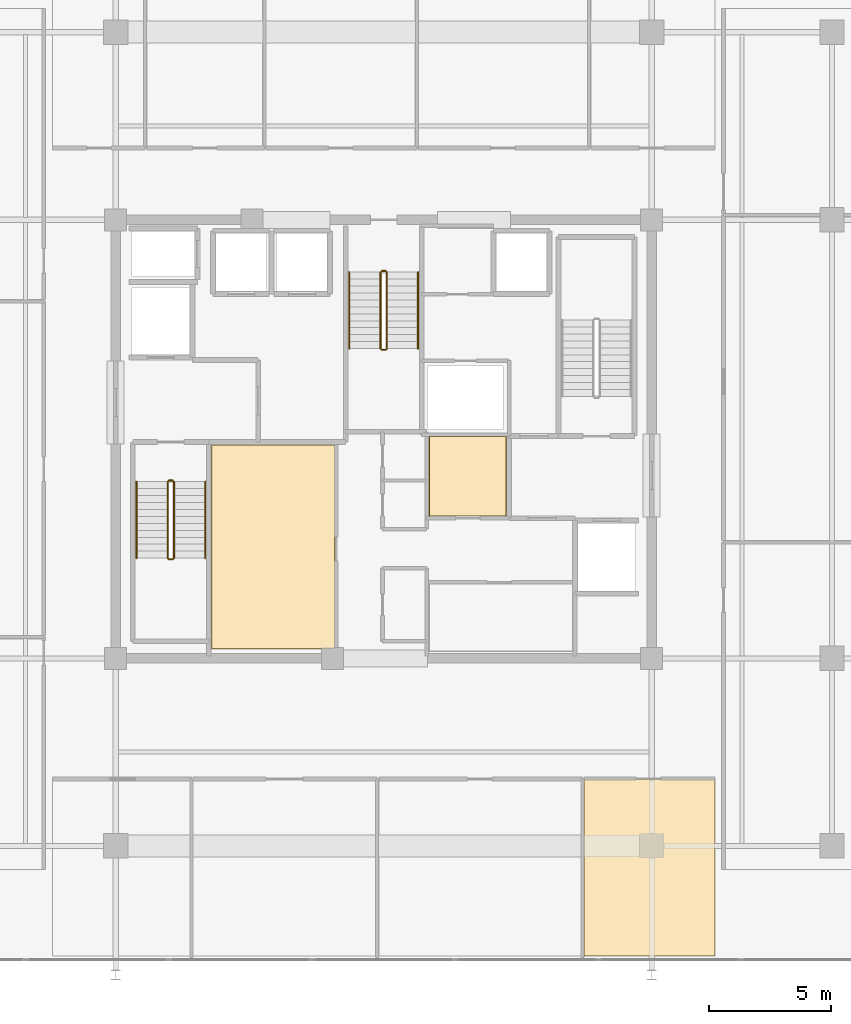
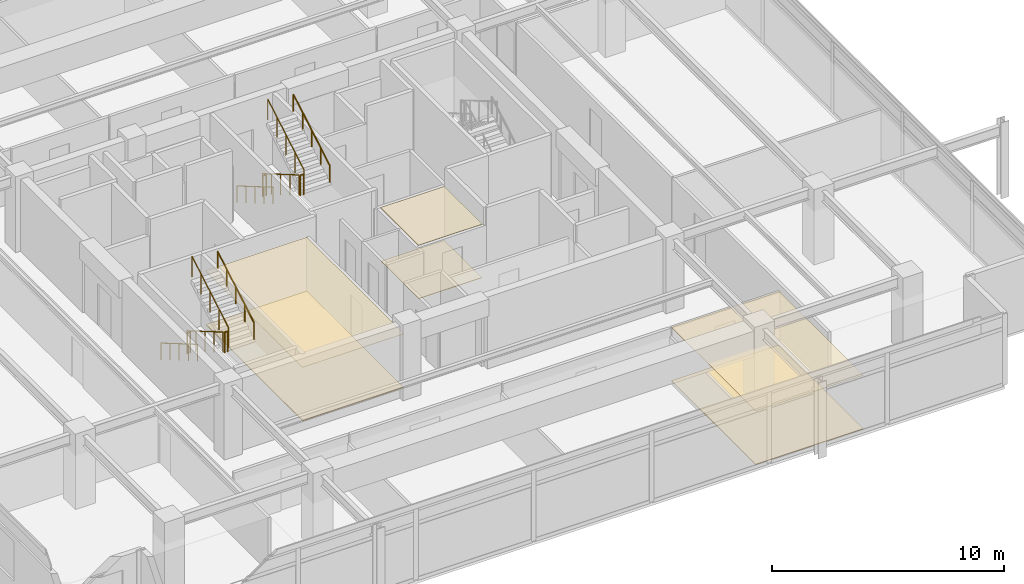
# One storey, part 18 of 20: 12 railings, 6 coverings.
"""IFC4 building model written with IfcOpenShell, lengths in metres."""

from ifc_helpers import new_model, si_unit, direction, frame, origin, origin_2d, place, context, subcontext, project, spatial, polyline, circle, outline, extrude, material, layer, layer_set, type_object, element, save


model = new_model("IFC4")

# Units and contexts
model_context = context("Model", 3, precision=1e-05, world=origin(), true_north=direction((0.0, 1.0)))
body_context = subcontext(model_context, "Body", "Model", "MODEL_VIEW")
ifc_project = project(units=[si_unit("LENGTHUNIT", "METRE"), si_unit("AREAUNIT", "SQUARE_METRE"), si_unit("VOLUMEUNIT", "CUBIC_METRE"), si_unit("PLANEANGLEUNIT", "RADIAN"), si_unit("MASSUNIT", "GRAM", prefix="KILO")], contexts=[model_context])

# Site, building, storey
site_placement = place(None, origin())
site = spatial("IfcSite", under=ifc_project, at=site_placement, CompositionType="ELEMENT")
building_placement = place(site_placement, origin())
building = spatial("IfcBuilding", under=site, at=building_placement, Name="Kovane Verandah Tower", CompositionType="ELEMENT")
storey_placement = place(building_placement, frame((0.0, 0.0, 334.800048828125)))
storey = spatial("IfcBuildingStorey", under=building, at=storey_placement, Name="L78", CompositionType="ELEMENT", Elevation=334.800048828125)

# Coverings
ifc_material_1 = material(Name="Perforated Acoustic Mineral-Fibre Ceiling Tile", Category="gypsum")
ifc_layer_1 = layer(ifc_material_1, 0.02490234375)
ifc_layer_set_1 = layer_set([ifc_layer_1], Name="Perforated Acoustic Mineral-Fibre Ceiling Tile")
covering_type_1 = type_object("IfcCoveringType", Name="CV-CEIL-25", PredefinedType="CEILING", material=ifc_layer_set_1)
covering_1_placement = place(storey_placement, frame((0.0, 0.0, 2.824951171875)))
element("IfcCovering", 1, at=covering_1_placement, inside=storey, type_object=covering_type_1, Name="L78 Tenant Wellness and Archive Suite Acoustic Ceiling", PredefinedType="CEILING", context=body_context, shape_type="SweptSolid", body=[
    extrude(outline(polyline([(32.93505859375, 18.885009765625), (37.9951171875, 18.885009765625), (37.9951171875, 27.264892578125), (32.93505859375, 27.264892578125), (32.93505859375, 18.885009765625)])), origin(), (0.0, 0.0, 1.0), 0.02490234375),
])
covering_2_placement = place(storey_placement, frame((0.0, 0.0, 2.824951171875)))
element("IfcCovering", 2, at=covering_2_placement, inside=storey, type_object=covering_type_1, Name="L78 Document Archive Room Acoustic Ceiling", PredefinedType="CEILING", context=body_context, shape_type="SweptSolid", body=[
    extrude(outline(polyline([(41.864990234375, 24.3349609375), (45.034912109375, 24.3349609375), (45.034912109375, 27.614990234375), (41.864990234375, 27.614990234375), (41.864990234375, 24.3349609375)])), origin(), (0.0, 0.0, 1.0), 0.02490234375),
])
covering_3_placement = place(storey_placement, frame((0.0, 0.0, 2.824951171875)))
element("IfcCovering", 3, at=covering_3_placement, inside=storey, type_object=covering_type_1, Name="L78 Focus Studio S4 Acoustic Ceiling", PredefinedType="CEILING", context=body_context, shape_type="SweptSolid", body=[
    extrude(outline(polyline([(48.22998046875, 6.27783203125), (53.60009765625, 6.27783203125), (53.60009765625, 13.550048828125), (48.22998046875, 13.550048828125), (48.22998046875, 6.27783203125)])), origin(), (0.0, 0.0, 1.0), 0.02490234375),
])
ifc_material_2 = material(Name="Polished Terrazzo and Raised-Access Carpet Tile Finish", Category="concrete")
ifc_layer_2 = layer(ifc_material_2, 0.030029296875)
ifc_layer_set_2 = layer_set([ifc_layer_2], Name="Polished Terrazzo and Raised-Access Carpet Tile Finish")
covering_type_2 = type_object("IfcCoveringType", Name="CV-FLOR-30", PredefinedType="FLOORING", material=ifc_layer_set_2)
covering_4_placement = place(storey_placement, origin())
element("IfcCovering", 4, at=covering_4_placement, inside=storey, type_object=covering_type_2, Name="L78 Tenant Wellness and Archive Suite Floor Finish", PredefinedType="FLOORING", context=body_context, shape_type="SweptSolid", body=[
    extrude(outline(polyline([(32.949951171875, 18.89990234375), (37.97998046875, 18.89990234375), (37.97998046875, 27.25), (32.949951171875, 27.25), (32.949951171875, 18.89990234375)])), origin(), (0.0, 0.0, 1.0), 0.030029296875),
])
covering_5_placement = place(storey_placement, origin())
element("IfcCovering", 5, at=covering_5_placement, inside=storey, type_object=covering_type_2, Name="L78 Document Archive Room Floor Finish", PredefinedType="FLOORING", context=body_context, shape_type="SweptSolid", body=[
    extrude(outline(polyline([(41.8798828125, 24.35009765625), (45.02001953125, 24.35009765625), (45.02001953125, 27.60009765625), (41.8798828125, 27.60009765625), (41.8798828125, 24.35009765625)])), origin(), (0.0, 0.0, 1.0), 0.030029296875),
])
covering_6_placement = place(storey_placement, origin())
element("IfcCovering", 6, at=covering_6_placement, inside=storey, type_object=covering_type_2, Name="L78 Focus Studio S4 Floor Finish", PredefinedType="FLOORING", context=body_context, shape_type="SweptSolid", body=[
    extrude(outline(polyline([(48.22998046875, 6.27783203125), (53.60009765625, 6.27783203125), (53.60009765625, 13.550048828125), (48.22998046875, 13.550048828125), (48.22998046875, 6.27783203125)])), origin(), (0.0, 0.0, 1.0), 0.030029296875),
])

# Railings
ifc_material_3 = material(Name="Brushed Stainless Steel Handrail", Category="steel")
railing_type_1 = type_object("IfcRailingType", Name="RL-HAND-920", PredefinedType="HANDRAIL", material=ifc_material_3)
railing_1_placement = place(storey_placement, frame((29.85009765625, 25.75, 0.16650390625)))
element("IfcRailing", 7, at=railing_1_placement, inside=storey, type_object=railing_type_1, Name="L78 ST-01 stair handrail 1", PredefinedType="HANDRAIL", context=body_context, shape_type="SweptSolid", body=[
    extrude(circle(Radius=0.02392578125, at=origin_2d()), frame((0.0, 0.0, 0.8759765625), z_axis=(0.0, -0.863210265497, 0.504844567704), x_axis=(1.0, 0.0, 0.0)), (0.0, 0.0, 1.0), 3.6318359375),
    extrude(circle(Radius=0.02099609375, at=origin_2d()), origin(), (0.0, 0.0, 1.0), 0.851806640625),
    extrude(circle(Radius=0.02099609375, at=origin_2d()), frame((0.0, -0.78369140625, 0.45849609375)), (0.0, 0.0, 1.0), 0.851806640625),
    extrude(circle(Radius=0.02099609375, at=origin_2d()), frame((0.0, -1.5673828125, 0.916748046875)), (0.0, 0.0, 1.0), 0.851806640625),
    extrude(circle(Radius=0.02099609375, at=origin_2d()), frame((0.0, -2.351318359375, 1.375)), (0.0, 0.0, 1.0), 0.851806640625),
    extrude(circle(Radius=0.02099609375, at=origin_2d()), frame((0.0, -3.135009765625, 1.83349609375)), (0.0, 0.0, 1.0), 0.851806640625),
])
railing_2_placement = place(storey_placement, frame((32.669921875, 22.614990234375, 2.16650390625)))
element("IfcRailing", 8, at=railing_2_placement, inside=storey, type_object=railing_type_1, Name="L78 ST-01 stair handrail 2", PredefinedType="HANDRAIL", context=body_context, shape_type="SweptSolid", body=[
    extrude(circle(Radius=0.02392578125, at=origin_2d()), frame((0.0, 0.0, 0.8759765625), z_axis=(0.0, 0.863210265497, 0.504844567704), x_axis=(-1.0, 0.0, 0.0)), (0.0, 0.0, 1.0), 3.6318359375),
    extrude(circle(Radius=0.02099609375, at=origin_2d()), origin(), (0.0, 0.0, 1.0), 0.851806640625),
    extrude(circle(Radius=0.02099609375, at=origin_2d()), frame((0.0, 0.78369140625, 0.45849609375)), (0.0, 0.0, 1.0), 0.851806640625),
    extrude(circle(Radius=0.02099609375, at=origin_2d()), frame((0.0, 1.5673828125, 0.916748046875)), (0.0, 0.0, 1.0), 0.851806640625),
    extrude(circle(Radius=0.02099609375, at=origin_2d()), frame((0.0, 2.351318359375, 1.375)), (0.0, 0.0, 1.0), 0.851806640625),
    extrude(circle(Radius=0.02099609375, at=origin_2d()), frame((0.0, 3.135009765625, 1.83349609375)), (0.0, 0.0, 1.0), 0.851806640625),
])
railing_3_placement = place(storey_placement, frame((38.590087890625, 34.35009765625, 0.16650390625)))
element("IfcRailing", 9, at=railing_3_placement, inside=storey, type_object=railing_type_1, Name="L78 ST-03 stair handrail 1", PredefinedType="HANDRAIL", context=body_context, shape_type="SweptSolid", body=[
    extrude(circle(Radius=0.02392578125, at=origin_2d()), frame((0.0, 0.0, 0.8759765625), z_axis=(0.0, -0.863210265497, 0.504844567704), x_axis=(1.0, 0.0, 0.0)), (0.0, 0.0, 1.0), 3.6318359375),
    extrude(circle(Radius=0.02099609375, at=origin_2d()), origin(), (0.0, 0.0, 1.0), 0.851806640625),
    extrude(circle(Radius=0.02099609375, at=origin_2d()), frame((0.0, -0.78369140625, 0.45849609375)), (0.0, 0.0, 1.0), 0.851806640625),
    extrude(circle(Radius=0.02099609375, at=origin_2d()), frame((0.0, -1.5673828125, 0.916748046875)), (0.0, 0.0, 1.0), 0.851806640625),
    extrude(circle(Radius=0.02099609375, at=origin_2d()), frame((0.0, -2.351318359375, 1.375)), (0.0, 0.0, 1.0), 0.851806640625),
    extrude(circle(Radius=0.02099609375, at=origin_2d()), frame((0.0, -3.135009765625, 1.83349609375)), (0.0, 0.0, 1.0), 0.851806640625),
])
railing_4_placement = place(storey_placement, frame((41.409912109375, 31.215087890625, 2.16650390625)))
element("IfcRailing", 10, at=railing_4_placement, inside=storey, type_object=railing_type_1, Name="L78 ST-03 stair handrail 2", PredefinedType="HANDRAIL", context=body_context, shape_type="SweptSolid", body=[
    extrude(circle(Radius=0.02392578125, at=origin_2d()), frame((0.0, 0.0, 0.8759765625), z_axis=(0.0, 0.863210265497, 0.504844567704), x_axis=(-1.0, 0.0, 0.0)), (0.0, 0.0, 1.0), 3.6318359375),
    extrude(circle(Radius=0.02099609375, at=origin_2d()), origin(), (0.0, 0.0, 1.0), 0.851806640625),
    extrude(circle(Radius=0.02099609375, at=origin_2d()), frame((0.0, 0.78369140625, 0.45849609375)), (0.0, 0.0, 1.0), 0.851806640625),
    extrude(circle(Radius=0.02099609375, at=origin_2d()), frame((0.0, 1.5673828125, 0.916748046875)), (0.0, 0.0, 1.0), 0.851806640625),
    extrude(circle(Radius=0.02099609375, at=origin_2d()), frame((0.0, 2.351318359375, 1.375)), (0.0, 0.0, 1.0), 0.851806640625),
    extrude(circle(Radius=0.02099609375, at=origin_2d()), frame((0.0, 3.135009765625, 1.83349609375)), (0.0, 0.0, 1.0), 0.851806640625),
])
ifc_material_4 = material(Name="Painted Steel Stairwell Guardrail", Category="steel")
railing_type_2 = type_object("IfcRailingType", Name="RL-STGUARD-1120", PredefinedType="GUARDRAIL", material=ifc_material_4)
railing_5_placement = place(storey_placement, frame((31.1298828125, 25.75, 0.16650390625)))
element("IfcRailing", 11, at=railing_5_placement, inside=storey, type_object=railing_type_2, Name="L78 ST-01 stair guard 1", PredefinedType="GUARDRAIL", context=body_context, shape_type="SweptSolid", body=[
    extrude(circle(Radius=0.02392578125, at=origin_2d()), frame((0.0, 0.0, 1.076171875), z_axis=(0.0, -0.863210265497, 0.504844567704), x_axis=(1.0, 0.0, 0.0)), (0.0, 0.0, 1.0), 3.6318359375),
    extrude(circle(Radius=0.02099609375, at=origin_2d()), origin(), (0.0, 0.0, 1.0), 1.052001953125),
    extrude(circle(Radius=0.02099609375, at=origin_2d()), frame((0.0, -0.78369140625, 0.45849609375)), (0.0, 0.0, 1.0), 1.052001953125),
    extrude(circle(Radius=0.02099609375, at=origin_2d()), frame((0.0, -1.5673828125, 0.916748046875)), (0.0, 0.0, 1.0), 1.052001953125),
    extrude(circle(Radius=0.02099609375, at=origin_2d()), frame((0.0, -2.351318359375, 1.375)), (0.0, 0.0, 1.0), 1.052001953125),
    extrude(circle(Radius=0.02099609375, at=origin_2d()), frame((0.0, -3.135009765625, 1.83349609375)), (0.0, 0.0, 1.0), 1.052001953125),
])
railing_6_placement = place(storey_placement, frame((31.179931640625, 22.56494140625, 2.0)))
element("IfcRailing", 12, at=railing_6_placement, inside=storey, type_object=railing_type_2, Name="L78 ST-01 stair guard 2", PredefinedType="GUARDRAIL", context=body_context, shape_type="SweptSolid", body=[
    extrude(circle(Radius=0.02392578125, at=origin_2d()), frame((0.0, 0.0, 1.076171875), z_axis=(1.0, 0.0, 0.0), x_axis=(0.0, 1.0, 0.0)), (0.0, 0.0, 1.0), 0.16015625),
    extrude(circle(Radius=0.02099609375, at=origin_2d()), origin(), (0.0, 0.0, 1.0), 1.052001953125),
    extrude(circle(Radius=0.02099609375, at=origin_2d()), frame((0.16015625, 0.0, 0.0)), (0.0, 0.0, 1.0), 1.052001953125),
])
railing_7_placement = place(storey_placement, frame((31.389892578125, 22.614990234375, 2.16650390625)))
element("IfcRailing", 13, at=railing_7_placement, inside=storey, type_object=railing_type_2, Name="L78 ST-01 stair guard 3", PredefinedType="GUARDRAIL", context=body_context, shape_type="SweptSolid", body=[
    extrude(circle(Radius=0.02392578125, at=origin_2d()), frame((0.0, 0.0, 1.076171875), z_axis=(0.0, 0.863210265497, 0.504844567704), x_axis=(-1.0, 0.0, 0.0)), (0.0, 0.0, 1.0), 3.6318359375),
    extrude(circle(Radius=0.02099609375, at=origin_2d()), origin(), (0.0, 0.0, 1.0), 1.052001953125),
    extrude(circle(Radius=0.02099609375, at=origin_2d()), frame((0.0, 0.78369140625, 0.45849609375)), (0.0, 0.0, 1.0), 1.052001953125),
    extrude(circle(Radius=0.02099609375, at=origin_2d()), frame((0.0, 1.5673828125, 0.916748046875)), (0.0, 0.0, 1.0), 1.052001953125),
    extrude(circle(Radius=0.02099609375, at=origin_2d()), frame((0.0, 2.351318359375, 1.375)), (0.0, 0.0, 1.0), 1.052001953125),
    extrude(circle(Radius=0.02099609375, at=origin_2d()), frame((0.0, 3.135009765625, 1.83349609375)), (0.0, 0.0, 1.0), 1.052001953125),
])
railing_8_placement = place(storey_placement, frame((31.179931640625, 25.800048828125, 0.0)))
element("IfcRailing", 14, at=railing_8_placement, inside=storey, type_object=railing_type_2, Name="L78 ST-01 stair guard 4", PredefinedType="GUARDRAIL", context=body_context, shape_type="SweptSolid", body=[
    extrude(circle(Radius=0.02392578125, at=origin_2d()), frame((0.0, 0.0, 1.076171875), z_axis=(1.0, 0.0, 0.0), x_axis=(0.0, 1.0, 0.0)), (0.0, 0.0, 1.0), 0.16015625),
    extrude(circle(Radius=0.02099609375, at=origin_2d()), origin(), (0.0, 0.0, 1.0), 1.052001953125),
    extrude(circle(Radius=0.02099609375, at=origin_2d()), frame((0.16015625, 0.0, 0.0)), (0.0, 0.0, 1.0), 1.052001953125),
])
railing_9_placement = place(storey_placement, frame((39.8701171875, 34.35009765625, 0.16650390625)))
element("IfcRailing", 15, at=railing_9_placement, inside=storey, type_object=railing_type_2, Name="L78 ST-03 stair guard 1", PredefinedType="GUARDRAIL", context=body_context, shape_type="SweptSolid", body=[
    extrude(circle(Radius=0.02392578125, at=origin_2d()), frame((0.0, 0.0, 1.076171875), z_axis=(0.0, -0.863210265497, 0.504844567704), x_axis=(1.0, 0.0, 0.0)), (0.0, 0.0, 1.0), 3.6318359375),
    extrude(circle(Radius=0.02099609375, at=origin_2d()), origin(), (0.0, 0.0, 1.0), 1.052001953125),
    extrude(circle(Radius=0.02099609375, at=origin_2d()), frame((0.0, -0.78369140625, 0.45849609375)), (0.0, 0.0, 1.0), 1.052001953125),
    extrude(circle(Radius=0.02099609375, at=origin_2d()), frame((0.0, -1.5673828125, 0.916748046875)), (0.0, 0.0, 1.0), 1.052001953125),
    extrude(circle(Radius=0.02099609375, at=origin_2d()), frame((0.0, -2.351318359375, 1.375)), (0.0, 0.0, 1.0), 1.052001953125),
    extrude(circle(Radius=0.02099609375, at=origin_2d()), frame((0.0, -3.135009765625, 1.83349609375)), (0.0, 0.0, 1.0), 1.052001953125),
])
railing_10_placement = place(storey_placement, frame((39.919921875, 31.1650390625, 2.0)))
element("IfcRailing", 16, at=railing_10_placement, inside=storey, type_object=railing_type_2, Name="L78 ST-03 stair guard 2", PredefinedType="GUARDRAIL", context=body_context, shape_type="SweptSolid", body=[
    extrude(circle(Radius=0.02392578125, at=origin_2d()), frame((0.0, 0.0, 1.076171875), z_axis=(1.0, 0.0, 0.0), x_axis=(0.0, 1.0, 0.0)), (0.0, 0.0, 1.0), 0.16015625),
    extrude(circle(Radius=0.02099609375, at=origin_2d()), origin(), (0.0, 0.0, 1.0), 1.052001953125),
    extrude(circle(Radius=0.02099609375, at=origin_2d()), frame((0.16015625, 0.0, 0.0)), (0.0, 0.0, 1.0), 1.052001953125),
])
railing_11_placement = place(storey_placement, frame((40.1298828125, 31.215087890625, 2.16650390625)))
element("IfcRailing", 17, at=railing_11_placement, inside=storey, type_object=railing_type_2, Name="L78 ST-03 stair guard 3", PredefinedType="GUARDRAIL", context=body_context, shape_type="SweptSolid", body=[
    extrude(circle(Radius=0.02392578125, at=origin_2d()), frame((0.0, 0.0, 1.076171875), z_axis=(0.0, 0.863210265497, 0.504844567704), x_axis=(-1.0, 0.0, 0.0)), (0.0, 0.0, 1.0), 3.6318359375),
    extrude(circle(Radius=0.02099609375, at=origin_2d()), origin(), (0.0, 0.0, 1.0), 1.052001953125),
    extrude(circle(Radius=0.02099609375, at=origin_2d()), frame((0.0, 0.78369140625, 0.45849609375)), (0.0, 0.0, 1.0), 1.052001953125),
    extrude(circle(Radius=0.02099609375, at=origin_2d()), frame((0.0, 1.5673828125, 0.916748046875)), (0.0, 0.0, 1.0), 1.052001953125),
    extrude(circle(Radius=0.02099609375, at=origin_2d()), frame((0.0, 2.351318359375, 1.375)), (0.0, 0.0, 1.0), 1.052001953125),
    extrude(circle(Radius=0.02099609375, at=origin_2d()), frame((0.0, 3.135009765625, 1.83349609375)), (0.0, 0.0, 1.0), 1.052001953125),
])
railing_12_placement = place(storey_placement, frame((39.919921875, 34.39990234375, 0.0)))
element("IfcRailing", 18, at=railing_12_placement, inside=storey, type_object=railing_type_2, Name="L78 ST-03 stair guard 4", PredefinedType="GUARDRAIL", context=body_context, shape_type="SweptSolid", body=[
    extrude(circle(Radius=0.02392578125, at=origin_2d()), frame((0.0, 0.0, 1.076171875), z_axis=(1.0, 0.0, 0.0), x_axis=(0.0, 1.0, 0.0)), (0.0, 0.0, 1.0), 0.16015625),
    extrude(circle(Radius=0.02099609375, at=origin_2d()), origin(), (0.0, 0.0, 1.0), 1.052001953125),
    extrude(circle(Radius=0.02099609375, at=origin_2d()), frame((0.16015625, 0.0, 0.0)), (0.0, 0.0, 1.0), 1.052001953125),
])

save(model, "model.ifc")
